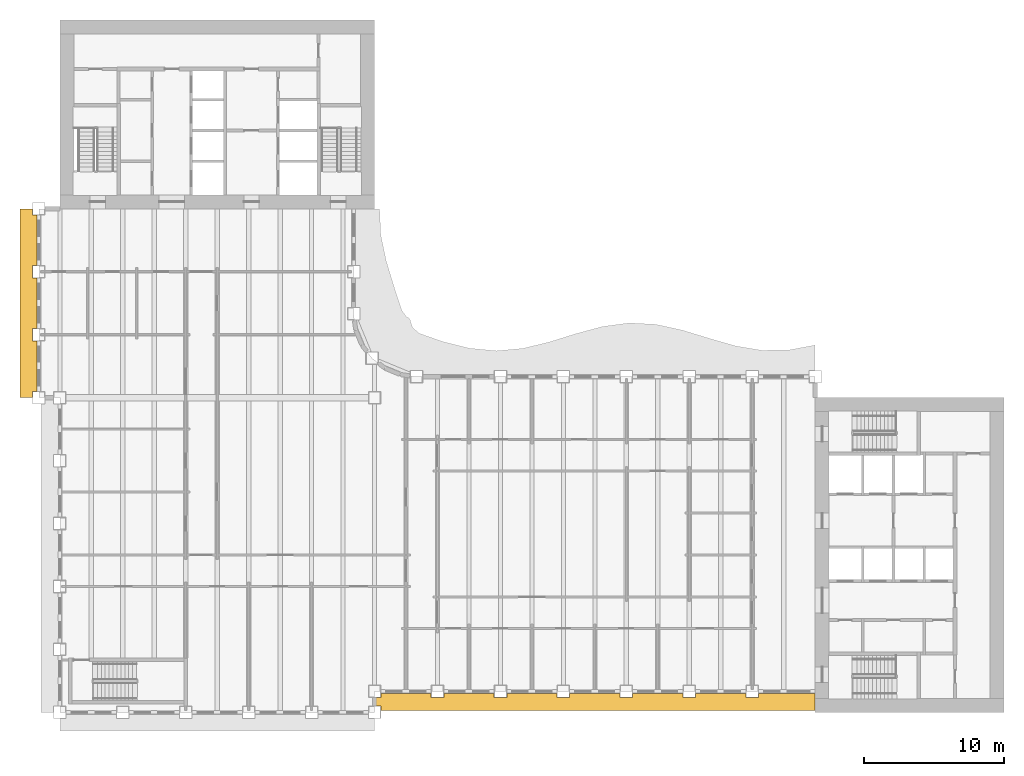
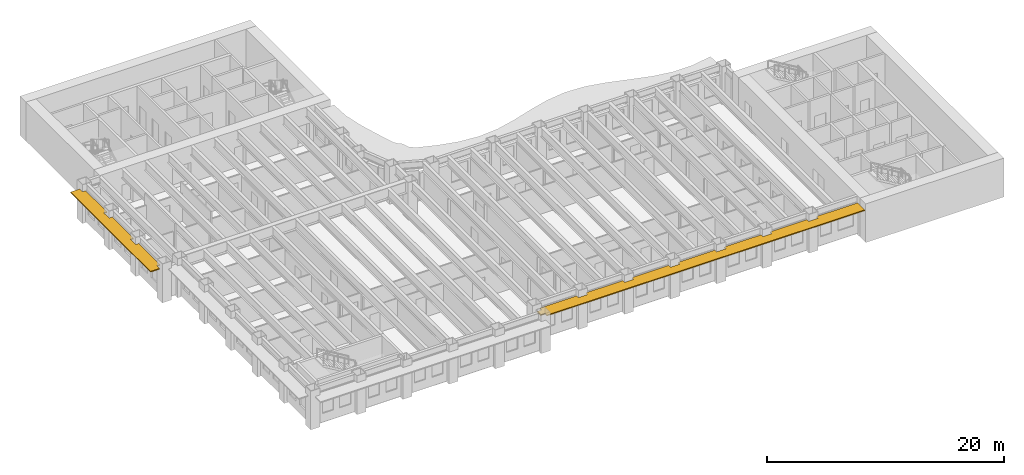
# One storey, part 12 of 16: 2 shading devices.
"""IFC4 building model written with IfcOpenShell, lengths in metres."""

from ifc_helpers import new_model, si_unit, direction, frame, origin, place, context, subcontext, project, spatial, polyline, outline, extrude, material, layer, layer_set, type_object, element, save


model = new_model("IFC4")

# Units and contexts
model_context = context("Model", 3, precision=1e-05, world=origin(), true_north=direction((0.0, 1.0)))
body_context = subcontext(model_context, "Body", "Model", "MODEL_VIEW")
ifc_project = project(units=[si_unit("LENGTHUNIT", "METRE"), si_unit("AREAUNIT", "SQUARE_METRE"), si_unit("VOLUMEUNIT", "CUBIC_METRE"), si_unit("PLANEANGLEUNIT", "RADIAN"), si_unit("MASSUNIT", "GRAM", prefix="KILO")], contexts=[model_context])

# Site, building, storey
site_placement = place(None, origin())
site = spatial("IfcSite", under=ifc_project, at=site_placement, CompositionType="ELEMENT")
building_placement = place(site_placement, origin())
building = spatial("IfcBuilding", under=site, at=building_placement, Name="Sennacour Bend Tower", CompositionType="ELEMENT")
storey_placement = place(building_placement, frame((0.0, 0.0, 167.0)))
storey = spatial("IfcBuildingStorey", under=building, at=storey_placement, Name="L38", CompositionType="ELEMENT", Elevation=167.0)

# Shading devices
ifc_material = material(Name="Bronze anodised aluminium", Category="aluminium")
ifc_layer = layer(ifc_material, 0.10009765625, Name="Bronze anodised aluminium", Category="aluminium")
ifc_layer_set = layer_set([ifc_layer], Name="Bronze anodised aluminium")
shading_device_type = type_object("IfcShadingDeviceType", Name="SUNSHADE BAND STRAIGHT", PredefinedType="USERDEFINED", material=ifc_layer_set)
shading_device_1_placement = place(storey_placement, frame((0.0, 0.0, 3.049072265625)))
element("IfcShadingDevice", 1, at=shading_device_1_placement, inside=storey, type_object=shading_device_type, Name="Sunshade band L38 A outer face", ObjectType="SUNSHADE", PredefinedType="USERDEFINED", context=body_context, shape_type="SweptSolid", body=[
    extrude(outline(polyline([(26.550048828125, 1.35009765625), (26.550048828125, 1.050048828125), (27.449951171875, 1.050048828125), (27.449951171875, 1.35009765625), (31.050048828125, 1.35009765625), (31.050048828125, 1.050048828125), (31.949951171875, 1.050048828125), (31.949951171875, 1.35009765625), (35.550048828125, 1.35009765625), (35.550048828125, 1.050048828125), (36.449951171875, 1.050048828125), (36.449951171875, 1.35009765625), (40.050048828125, 1.35009765625), (40.050048828125, 1.050048828125), (40.949951171875, 1.050048828125), (40.949951171875, 1.35009765625), (44.550048828125, 1.35009765625), (44.550048828125, 1.050048828125), (45.449951171875, 1.050048828125), (45.449951171875, 1.35009765625), (49.050048828125, 1.35009765625), (49.050048828125, 1.050048828125), (49.949951171875, 1.050048828125), (49.949951171875, 1.35009765625), (54.0, 1.35009765625), (54.0, 0.14990234375), (22.949951171875, 0.14990234375), (22.949951171875, 0.449951171875), (22.5, 0.449951171875), (22.5, 1.050048828125), (22.949951171875, 1.050048828125), (22.949951171875, 1.35009765625), (26.550048828125, 1.35009765625)])), origin(), (0.0, 0.0, 1.0), 0.099853515625),
])
shading_device_2_placement = place(storey_placement, frame((0.0, 0.0, 3.049072265625)))
element("IfcShadingDevice", 2, at=shading_device_2_placement, inside=storey, type_object=shading_device_type, Name="Sunshade band L38 B outer face", ObjectType="SUNSHADE", PredefinedType="USERDEFINED", context=body_context, shape_type="SweptSolid", body=[
    extrude(outline(polyline([(-1.64990234375, 31.949951171875), (-1.949951171875, 31.949951171875), (-1.949951171875, 31.050048828125), (-1.64990234375, 31.050048828125), (-1.64990234375, 27.449951171875), (-1.949951171875, 27.449951171875), (-1.949951171875, 26.550048828125), (-1.64990234375, 26.550048828125), (-1.64990234375, 22.949951171875), (-1.949951171875, 22.949951171875), (-1.949951171875, 22.5), (-2.85009765625, 22.5), (-2.85009765625, 36.0), (-1.949951171875, 36.0), (-1.949951171875, 35.550048828125), (-1.64990234375, 35.550048828125), (-1.64990234375, 31.949951171875)])), origin(), (0.0, 0.0, 1.0), 0.099853515625),
])

save(model, "model.ifc")
